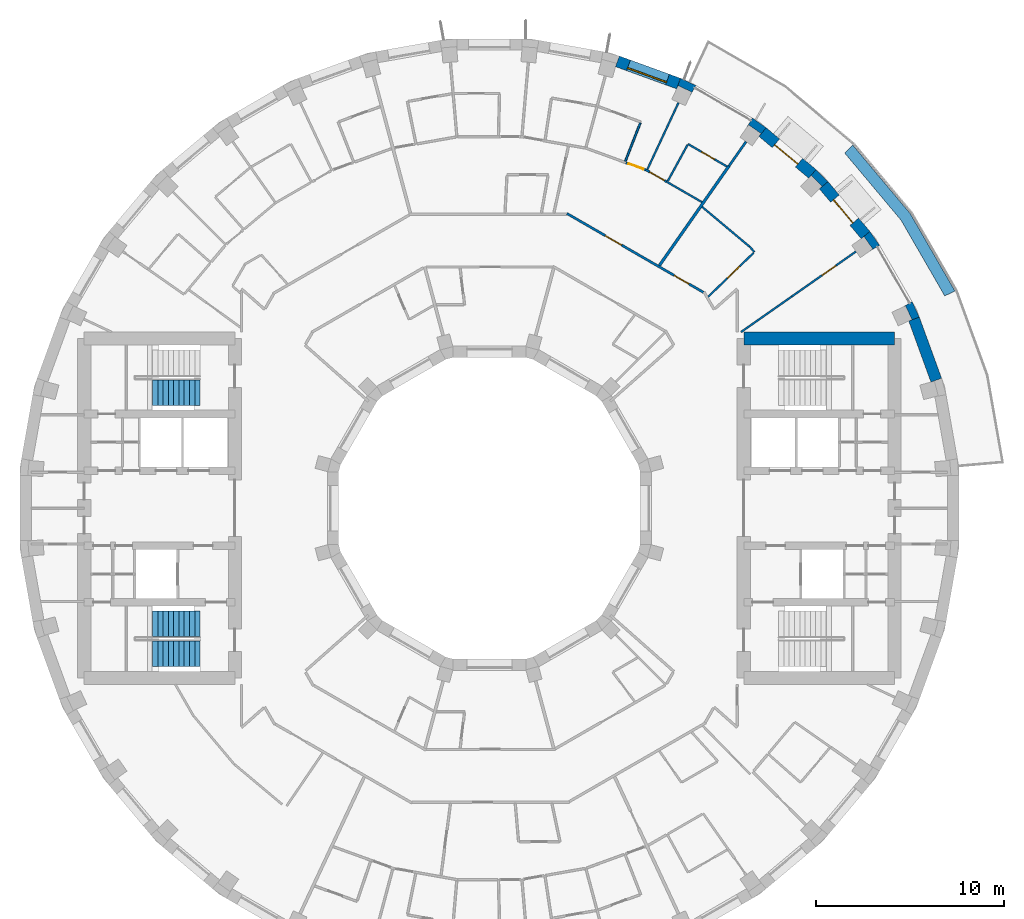
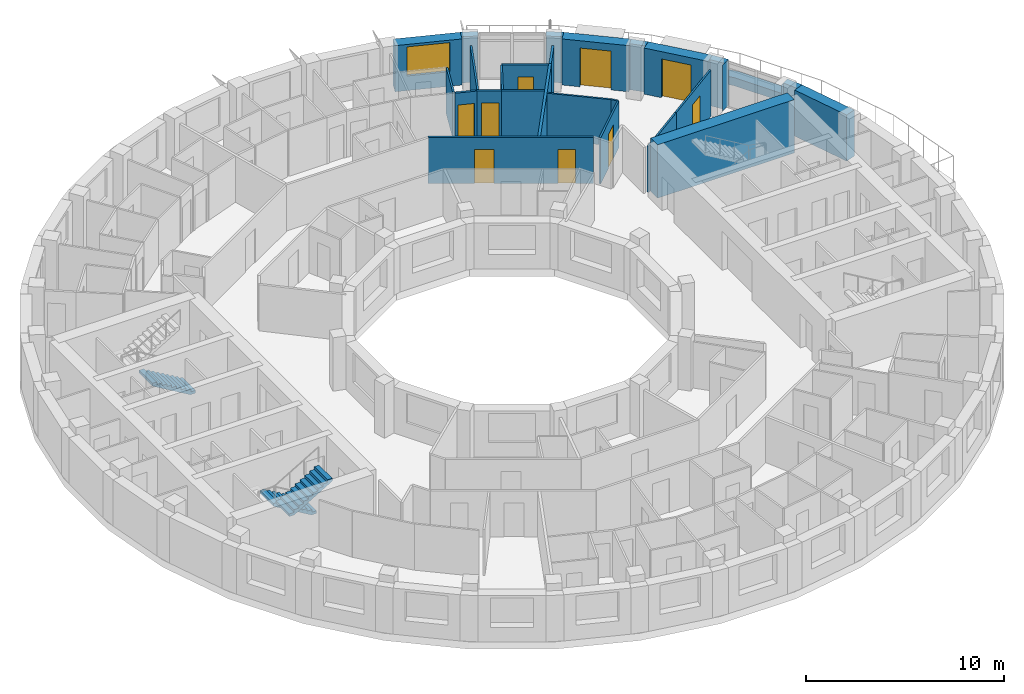
# One storey, part 13 of 15: 26 walls, 9 doors, 3 stair flights, 1 window, 10 openings, 2 elements without a shape of their own.
"""IFC4 building model written with IfcOpenShell, lengths in metres."""

from ifc_helpers import new_model, si_unit, direction, frame, frame_2d, origin, place, context, subcontext, project, spatial, polyline, rectangle, outline, extrude, material, layer, layer_set, type_object, element, fill, aggregate, save


model = new_model("IFC4")

# Units and contexts
model_context = context("Model", 3, precision=1e-05, world=origin(), true_north=direction((0.0, 1.0)))
body_context = subcontext(model_context, "Body", "Model", "MODEL_VIEW")
ifc_project = project(units=[si_unit("LENGTHUNIT", "METRE"), si_unit("AREAUNIT", "SQUARE_METRE"), si_unit("VOLUMEUNIT", "CUBIC_METRE"), si_unit("PLANEANGLEUNIT", "RADIAN"), si_unit("MASSUNIT", "GRAM", prefix="KILO")], contexts=[model_context])

# Site, building, storey
site_placement = place(None, origin())
site = spatial("IfcSite", under=ifc_project, at=site_placement, CompositionType="ELEMENT")
building_placement = place(site_placement, origin())
building = spatial("IfcBuilding", under=site, at=building_placement, Name="Saqina Gate Tower", CompositionType="ELEMENT")
storey_placement = place(building_placement, frame((0.0, 0.0, 197.10009765625)))
storey = spatial("IfcBuildingStorey", under=building, at=storey_placement, Name="L56", CompositionType="ELEMENT", Elevation=197.10009765625)

# Walls
ifc_material_1 = material(Name="Brick masonry (buff)", Category="masonry")
wall_type_1 = type_object("IfcWallType", Name="BRICK PIER COPING BUFF", PredefinedType="SOLIDWALL", material=ifc_material_1)
wall_1_placement = place(storey_placement, origin())
element("IfcWall", 1, at=wall_1_placement, inside=storey, type_object=wall_type_1, Name="Pier cap L56 column 3", PredefinedType="SOLIDWALL", context=body_context, shape_type="SweptSolid", body=[
    extrude(outline(polyline([(22.4306640625, 10.958740234375), (21.9111328125, 10.65869140625), (22.080810546875, 10.73779296875), (22.4189453125, 10.0126953125), (22.249267578125, 9.93359375), (22.81298828125, 10.138916015625), (22.4306640625, 10.958740234375)])), origin(), (0.0, 0.0, 1.0), 2.849853515625),
])
wall_2_placement = place(storey_placement, origin())
element("IfcWall", 2, at=wall_2_placement, inside=storey, type_object=wall_type_1, Name="Pier cap L56 column 4", PredefinedType="SOLIDWALL", context=body_context, shape_type="SweptSolid", body=[
    extrude(outline(polyline([(20.705810546875, 13.9462890625), (20.18701171875, 14.687255859375), (19.727294921875, 14.301513671875), (19.880859375, 14.408935546875), (20.339599609375, 13.753662109375), (20.186279296875, 13.646240234375), (20.705810546875, 13.9462890625)])), origin(), (0.0, 0.0, 1.0), 2.849853515625),
])
wall_3_placement = place(storey_placement, origin())
element("IfcWall", 3, at=wall_3_placement, inside=storey, type_object=wall_type_1, Name="Pier cap L56 column 5", PredefinedType="SOLIDWALL", context=body_context, shape_type="SweptSolid", body=[
    extrude(outline(polyline([(17.329833984375, 17.969482421875), (16.944091796875, 17.510009765625), (17.07666015625, 17.642333984375), (17.642333984375, 17.07666015625), (17.510009765625, 16.944091796875), (17.969482421875, 17.329833984375), (17.329833984375, 17.969482421875)])), origin(), (0.0, 0.0, 1.0), 2.849853515625),
])
wall_4_placement = place(storey_placement, origin())
element("IfcWall", 4, at=wall_4_placement, inside=storey, type_object=wall_type_1, Name="Pier cap L56 column 6", PredefinedType="SOLIDWALL", context=body_context, shape_type="SweptSolid", body=[
    extrude(outline(polyline([(14.687255859375, 20.18701171875), (13.9462890625, 20.705810546875), (13.646240234375, 20.186279296875), (13.753662109375, 20.339599609375), (14.408935546875, 19.880859375), (14.301513671875, 19.727294921875), (14.687255859375, 20.18701171875)])), origin(), (0.0, 0.0, 1.0), 2.849853515625),
])
wall_5_placement = place(storey_placement, origin())
element("IfcWall", 5, at=wall_5_placement, inside=storey, type_object=wall_type_1, Name="Pier cap L56 column 7", PredefinedType="SOLIDWALL", context=body_context, shape_type="SweptSolid", body=[
    extrude(outline(polyline([(10.138916015625, 22.81298828125), (9.93359375, 22.249267578125), (10.0126953125, 22.4189453125), (10.73779296875, 22.080810546875), (10.65869140625, 21.9111328125), (10.958740234375, 22.4306640625), (10.138916015625, 22.81298828125)])), origin(), (0.0, 0.0, 1.0), 2.849853515625),
])

# Wall, opening, door
ifc_material_2 = material(Name="Brick masonry (buff)", Category="masonry")
ifc_layer_1 = layer(ifc_material_2, 0.60009765625)
ifc_layer_set_1 = layer_set([ifc_layer_1], Name="FW-BRICK-BUFF")
wall_type_2 = type_object("IfcWallType", Name="FW-BRICK-BUFF", PredefinedType="SOLIDWALL", material=ifc_layer_set_1)
wall_6_placement = place(storey_placement, frame((19.95703125, 14.494384765625, 0.0), z_axis=(0.0, 0.0, 1.0), x_axis=(-0.642770398358, 0.766058884809, 0.0)))
wall_6 = element("IfcWall", 6, at=wall_6_placement, inside=storey, type_object=wall_type_2, Name="Facade wall L56 facet 4", PredefinedType="SOLIDWALL", context=body_context, shape_type="SweptSolid", body=[
    extrude(rectangle(XDim=3.449462890625, YDim=0.60009765625, at=frame_2d((1.724609375, 0.0))), origin(), (0.0, 0.0, 1.0), 2.849853515625),
])
opening_1_placement = place(wall_6_placement, frame((0.9248046875, 0.0, 0.0)))
opening_1 = element("IfcOpeningElement", 7, at=opening_1_placement, cuts=wall_6, Name="Opening G16-D80", PredefinedType="OPENING", context=body_context, shape_type="SweptSolid", body=[
    extrude(rectangle(XDim=1.60009765625, YDim=2.39990234375, at=frame_2d((0.800048828125, 1.199951171875))), frame((0.0, 0.31201171875, 0.0), z_axis=(0.0, -1.0, 0.0), x_axis=(1.0, 0.0, 0.0)), (0.0, 0.0, 1.0), 0.6240234375),
])
ifc_material_3 = material(Name="Aluminium glazing", Category="aluminium")
door_type_1 = type_object("IfcDoorType", Name="GD-C", OperationType="DOUBLE_DOOR_SINGLE_SWING", PredefinedType="DOOR", material=ifc_material_3)
door_1_placement = place(opening_1_placement, frame((1.60009765625, 0.0, 0.0), z_axis=(0.0, 0.0, 1.0), x_axis=(-1.0, 0.0, 0.0)))
door_1 = element("IfcDoor", 8, at=door_1_placement, inside=storey, type_object=door_type_1, Name="Terrace door L56 facet 4", OperationType="DOUBLE_DOOR_SINGLE_SWING", OverallHeight=2.39990234375, OverallWidth=1.60009765625, PredefinedType="DOOR", context=body_context, shape_type="SweptSolid", body=[
    extrude(rectangle(XDim=1.60009765625, YDim=2.39990234375, at=frame_2d((0.800048828125, 1.199951171875))), frame((0.0, -0.0751953125, 0.0), z_axis=(0.0, -1.0, 0.0), x_axis=(1.0, 0.0, 0.0)), (0.0, 0.0, 1.0), 0.050048828125),
])
fill(opening_1, door_1)

wall_7_placement = place(storey_placement, frame((17.136962890625, 17.73974609375, 0.0), z_axis=(0.0, 0.0, 1.0), x_axis=(-0.766058884809, 0.642770398358, 0.0)))
wall_7 = element("IfcWall", 9, at=wall_7_placement, inside=storey, type_object=wall_type_2, Name="Facade wall L56 facet 5", PredefinedType="SOLIDWALL", context=body_context, shape_type="SweptSolid", body=[
    extrude(rectangle(XDim=3.449462890625, YDim=0.60009765625, at=frame_2d((1.724609375, 0.0))), origin(), (0.0, 0.0, 1.0), 2.849853515625),
])
opening_2_placement = place(wall_7_placement, frame((0.9248046875, 0.0, 0.0)))
opening_2 = element("IfcOpeningElement", 10, at=opening_2_placement, cuts=wall_7, Name="Opening G16-D81", PredefinedType="OPENING", context=body_context, shape_type="SweptSolid", body=[
    extrude(rectangle(XDim=1.60009765625, YDim=2.39990234375, at=frame_2d((0.800048828125, 1.199951171875))), frame((0.0, 0.31201171875, 0.0), z_axis=(0.0, -1.0, 0.0), x_axis=(1.0, 0.0, 0.0)), (0.0, 0.0, 1.0), 0.6240234375),
])
door_2_placement = place(opening_2_placement, frame((1.60009765625, 0.0, 0.0), z_axis=(0.0, 0.0, 1.0), x_axis=(-1.0, 0.0, 0.0)))
door_2 = element("IfcDoor", 11, at=door_2_placement, inside=storey, type_object=door_type_1, Name="Terrace door L56 facet 5", OperationType="DOUBLE_DOOR_SINGLE_SWING", OverallHeight=2.39990234375, OverallWidth=1.60009765625, PredefinedType="DOOR", context=body_context, shape_type="SweptSolid", body=[
    extrude(rectangle(XDim=1.60009765625, YDim=2.39990234375, at=frame_2d((0.800048828125, 1.199951171875))), frame((0.0, -0.0751953125, 0.0), z_axis=(0.0, -1.0, 0.0), x_axis=(1.0, 0.0, 0.0)), (0.0, 0.0, 1.0), 0.050048828125),
])
fill(opening_2, door_2)

# Wall, opening, window
wall_8_placement = place(storey_placement, frame((10.0361328125, 22.531005859375, 0.0), z_axis=(0.0, 0.0, 1.0), x_axis=(-0.93968799822, 0.342032843455, 0.0)))
wall_8 = element("IfcWall", 12, at=wall_8_placement, inside=storey, type_object=wall_type_2, Name="Facade wall L56 facet 7", PredefinedType="SOLIDWALL", context=body_context, shape_type="SweptSolid", body=[
    extrude(rectangle(XDim=3.44970703125, YDim=0.60009765625, at=frame_2d((1.724853515625, 0.0))), origin(), (0.0, 0.0, 1.0), 2.849853515625),
])
opening_3_placement = place(wall_8_placement, frame((0.625, 0.0, 0.89990234375)))
opening_3 = element("IfcOpeningElement", 13, at=opening_3_placement, cuts=wall_8, Name="Opening G16-W01", PredefinedType="OPENING", context=body_context, shape_type="SweptSolid", body=[
    extrude(rectangle(XDim=2.199951171875, YDim=1.800048828125, at=frame_2d((1.10009765625, 0.89990234375))), frame((0.0, 0.31201171875, 0.0), z_axis=(0.0, -1.0, 0.0), x_axis=(1.0, 0.0, 0.0)), (0.0, 0.0, 1.0), 0.6240234375),
])
ifc_material_4 = material(Name="Aluminium glazing", Category="aluminium")
window_type = type_object("IfcWindowType", Name="WN-C", PartitioningType="SINGLE_PANEL", PredefinedType="WINDOW", material=ifc_material_4)
window_placement = place(opening_3_placement, origin())
window = element("IfcWindow", 14, at=window_placement, inside=storey, type_object=window_type, Name="Window L56 facet 7", OverallHeight=1.800048828125, OverallWidth=2.199951171875, PartitioningType="SINGLE_PANEL", PredefinedType="WINDOW", context=body_context, shape_type="SweptSolid", body=[
    extrude(rectangle(XDim=2.199951171875, YDim=1.800048828125, at=frame_2d((1.10009765625, 0.89990234375))), frame((0.0, 0.179931640625, 0.0), z_axis=(0.0, -1.0, 0.0), x_axis=(1.0, 0.0, 0.0)), (0.0, 0.0, 1.0), 0.06005859375),
])
fill(opening_3, window)

# Walls
ifc_material_5 = material(Name="Glazed ceramic tile (dark blue)", Category="ceramic")
ifc_layer_2 = layer(ifc_material_5, 0.60009765625)
ifc_layer_set_2 = layer_set([ifc_layer_2], Name="FW-TILE-CB")
wall_type_3 = type_object("IfcWallType", Name="FW-TILE-CB", PredefinedType="SOLIDWALL", material=ifc_layer_set_2)
wall_9_placement = place(storey_placement, frame((23.7109375, 6.79443359375, 0.0), z_axis=(0.0, 0.0, 1.0), x_axis=(-0.342032843455, 0.93968799822, 0.0)))
element("IfcWall", 15, at=wall_9_placement, inside=storey, type_object=wall_type_3, Name="Facade wall L56 facet 2", PredefinedType="SOLIDWALL", context=body_context, shape_type="SweptSolid", body=[
    extrude(rectangle(XDim=3.44970703125, YDim=0.60009765625, at=frame_2d((1.724853515625, 0.0))), origin(), (0.0, 0.0, 1.0), 2.849853515625),
])
ifc_material_6 = material(Name="Gypsum board on steel studs, 100 mm", Category="steel")
ifc_layer_3 = layer(ifc_material_6, 0.10009765625)
ifc_layer_set_3 = layer_set([ifc_layer_3], Name="PARTITION 100")
wall_type_4 = type_object("IfcWallType", Name="PARTITION 100", PredefinedType="PARTITIONING", material=ifc_layer_set_3)
wall_10_placement = place(storey_placement, frame((13.8125, 13.884033203125, 0.0), z_axis=(0.0, 0.0, 1.0), x_axis=(0.641432894875, -0.767179145554, 0.0)))
element("IfcWall", 16, at=wall_10_placement, inside=storey, type_object=wall_type_4, Name="PARTITION PW3-21", PredefinedType="PARTITIONING", context=body_context, shape_type="SweptSolid", body=[
    extrude(rectangle(XDim=0.384521484375, YDim=0.10009765625, at=frame_2d((0.1923828125, 0.0))), origin(), (0.0, 0.0, 1.0), 2.849853515625),
])
wall_11_placement = place(storey_placement, frame((11.287353515625, 15.98974609375, 0.0), z_axis=(0.0, 0.0, 1.0), x_axis=(0.766251688806, -0.642540543002, 0.0)))
element("IfcWall", 17, at=wall_11_placement, inside=storey, type_object=wall_type_4, Name="PARTITION PW3-33", PredefinedType="PARTITIONING", context=body_context, shape_type="SweptSolid", body=[
    extrude(rectangle(XDim=3.287841796875, YDim=0.10009765625, at=frame_2d((1.64404296875, 0.0))), origin(), (0.0, 0.0, 1.0), 2.849853515625),
])
wall_12_placement = place(storey_placement, frame((9.392578125, 17.330078125, 0.0), z_axis=(0.0, 0.0, 1.0), x_axis=(0.866049410587, -0.499958416693, 0.0)))
element("IfcWall", 18, at=wall_12_placement, inside=storey, type_object=wall_type_4, Name="PARTITION PW3-39", PredefinedType="PARTITIONING", context=body_context, shape_type="SweptSolid", body=[
    extrude(rectangle(XDim=2.179443359375, YDim=0.10009765625, at=frame_2d((1.08984375, 0.0))), origin(), (0.0, 0.0, 1.0), 2.849853515625),
])

# Wall, opening, door
wall_13_placement = place(storey_placement, frame((10.5380859375, 19.324951171875, 0.0), z_axis=(0.0, 0.0, 1.0), x_axis=(0.866018643436, -0.500011709085, 0.0)))
wall_13 = element("IfcWall", 19, at=wall_13_placement, inside=storey, type_object=wall_type_4, Name="PARTITION PW3-40", PredefinedType="PARTITIONING", context=body_context, shape_type="SweptSolid", body=[
    extrude(rectangle(XDim=2.38671875, YDim=0.10009765625, at=frame_2d((1.193359375, 0.0))), origin(), (0.0, 0.0, 1.0), 2.849853515625),
])
opening_4_placement = place(wall_13_placement, frame((0.830810546875, 0.0, 0.0)))
opening_4 = element("IfcOpeningElement", 20, at=opening_4_placement, cuts=wall_13, Name="Opening G16-D05", PredefinedType="OPENING", context=body_context, shape_type="SweptSolid", body=[
    extrude(rectangle(XDim=0.800048828125, YDim=2.10009765625, at=frame_2d((0.39990234375, 1.050048828125))), frame((0.0, 0.06201171875, 0.0), z_axis=(0.0, -1.0, 0.0), x_axis=(1.0, 0.0, 0.0)), (0.0, 0.0, 1.0), 0.1240234375),
])
ifc_material_7 = material(Name="Timber door leaf, 800 mm", Category="wood")
door_type_2 = type_object("IfcDoorType", Name="DOOR 800 TIMBER", OperationType="SINGLE_SWING_LEFT", PredefinedType="DOOR", material=ifc_material_7)
door_3_placement = place(opening_4_placement, origin())
door_3 = element("IfcDoor", 21, at=door_3_placement, inside=storey, type_object=door_type_2, Name="DOOR G16-D05", OperationType="SINGLE_SWING_RIGHT", OverallHeight=2.10009765625, OverallWidth=0.800048828125, PredefinedType="DOOR", context=body_context, shape_type="SweptSolid", body=[
    extrude(rectangle(XDim=0.800048828125, YDim=2.10009765625, at=frame_2d((0.39990234375, 1.050048828125))), frame((0.0, 0.02490234375, 0.0), z_axis=(0.0, -1.0, 0.0), x_axis=(1.0, 0.0, 0.0)), (0.0, 0.0, 1.0), 0.050048828125),
])
fill(opening_4, door_3)

# Wall
wall_14_placement = place(storey_placement, frame((13.35302734375, 9.349853515625, 0.0), z_axis=(0.0, 0.0, 1.0), x_axis=(0.819123426134, 0.573617305143, 0.0)))
element("IfcWall", 22, at=wall_14_placement, inside=storey, type_object=wall_type_4, Name="PARTITION PW3-75", PredefinedType="PARTITIONING", context=body_context, shape_type="SweptSolid", body=[
    extrude(rectangle(XDim=3.277587890625, YDim=0.10009765625, at=frame_2d((1.638671875, 0.0))), origin(), (0.0, 0.0, 1.0), 2.849853515625),
])

# Wall, opening, door
wall_15_placement = place(storey_placement, frame((16.0380859375, 11.22998046875, 0.0), z_axis=(0.0, 0.0, 1.0), x_axis=(0.819113378634, 0.573631652668, 0.0)))
wall_15 = element("IfcWall", 23, at=wall_15_placement, inside=storey, type_object=wall_type_4, Name="PARTITION PW3-76", PredefinedType="PARTITIONING", context=body_context, shape_type="SweptSolid", body=[
    extrude(rectangle(XDim=4.1611328125, YDim=0.10009765625, at=frame_2d((2.08056640625, 0.0))), origin(), (0.0, 0.0, 1.0), 2.849853515625),
])
opening_5_placement = place(wall_15_placement, frame((1.959228515625, 0.0, 0.0)))
opening_5 = element("IfcOpeningElement", 24, at=opening_5_placement, cuts=wall_15, Name="Opening G16-D01", PredefinedType="OPENING", context=body_context, shape_type="SweptSolid", body=[
    extrude(rectangle(XDim=0.89990234375, YDim=2.10009765625, at=frame_2d((0.449951171875, 1.050048828125))), frame((0.0, 0.06201171875, 0.0), z_axis=(0.0, -1.0, 0.0), x_axis=(1.0, 0.0, 0.0)), (0.0, 0.0, 1.0), 0.1240234375),
])
ifc_material_8 = material(Name="Timber door leaf, 900 mm", Category="wood")
door_type_3 = type_object("IfcDoorType", Name="DOOR 900 TIMBER", OperationType="SINGLE_SWING_LEFT", PredefinedType="DOOR", material=ifc_material_8)
door_4_placement = place(opening_5_placement, origin())
door_4 = element("IfcDoor", 25, at=door_4_placement, inside=storey, type_object=door_type_3, Name="DOOR G16-D01", OperationType="SINGLE_SWING_RIGHT", OverallHeight=2.10009765625, OverallWidth=0.89990234375, PredefinedType="DOOR", context=body_context, shape_type="SweptSolid", body=[
    extrude(rectangle(XDim=0.89990234375, YDim=2.10009765625, at=frame_2d((0.449951171875, 1.050048828125))), frame((0.0, 0.02490234375, 0.0), z_axis=(0.0, -1.0, 0.0), x_axis=(1.0, 0.0, 0.0)), (0.0, 0.0, 1.0), 0.050048828125),
])
fill(opening_5, door_4)

wall_16_placement = place(storey_placement, frame((11.60693359375, 11.218505859375, 0.0), z_axis=(0.0, 0.0, 1.0), x_axis=(0.718956911181, 0.695054645237, 0.0)))
wall_16 = element("IfcWall", 26, at=wall_16_placement, inside=storey, type_object=wall_type_4, Name="PARTITION PW3-79", PredefinedType="PARTITIONING", context=body_context, shape_type="SweptSolid", body=[
    extrude(rectangle(XDim=3.3603515625, YDim=0.10009765625, at=frame_2d((1.68017578125, 0.0))), origin(), (0.0, 0.0, 1.0), 2.849853515625),
])
opening_6_placement = place(wall_16_placement, frame((1.424072265625, 0.0, 0.0)))
opening_6 = element("IfcOpeningElement", 27, at=opening_6_placement, cuts=wall_16, Name="Opening G16-D02", PredefinedType="OPENING", context=body_context, shape_type="SweptSolid", body=[
    extrude(rectangle(XDim=0.89990234375, YDim=2.10009765625, at=frame_2d((0.449951171875, 1.050048828125))), frame((0.0, 0.06201171875, 0.0), z_axis=(0.0, -1.0, 0.0), x_axis=(1.0, 0.0, 0.0)), (0.0, 0.0, 1.0), 0.1240234375),
])
door_5_placement = place(opening_6_placement, frame((0.89990234375, 0.0, 0.0), z_axis=(0.0, 0.0, 1.0), x_axis=(-1.0, 0.0, 0.0)))
door_5 = element("IfcDoor", 28, at=door_5_placement, inside=storey, type_object=door_type_3, Name="DOOR G16-D02", OperationType="SINGLE_SWING_RIGHT", OverallHeight=2.10009765625, OverallWidth=0.89990234375, PredefinedType="DOOR", context=body_context, shape_type="SweptSolid", body=[
    extrude(rectangle(XDim=0.89990234375, YDim=2.10009765625, at=frame_2d((0.449951171875, 1.050048828125))), frame((0.0, 0.02490234375, 0.0), z_axis=(0.0, -1.0, 0.0), x_axis=(1.0, 0.0, 0.0)), (0.0, 0.0, 1.0), 0.050048828125),
])
fill(opening_6, door_5)

# Walls
wall_17_placement = place(storey_placement, frame((9.4658203125, 17.35986328125, 0.0), z_axis=(0.0, 0.0, 1.0), x_axis=(0.479008439349, 0.877810295584, 0.0)))
element("IfcWall", 29, at=wall_17_placement, inside=storey, type_object=wall_type_4, Name="PARTITION PW3-88", PredefinedType="PARTITIONING", context=body_context, shape_type="SweptSolid", body=[
    extrude(rectangle(XDim=2.1884765625, YDim=0.10009765625, at=frame_2d((1.09423828125, 0.0))), origin(), (0.0, 0.0, 1.0), 2.849853515625),
])
wall_18_placement = place(storey_placement, frame((8.385498046875, 17.983642578125, 0.0), z_axis=(0.0, 0.0, 1.0), x_axis=(0.422693421389, 0.906272735723, 0.0)))
element("IfcWall", 30, at=wall_18_placement, inside=storey, type_object=wall_type_4, Name="PARTITION PW3-89", PredefinedType="PARTITIONING", context=body_context, shape_type="SweptSolid", body=[
    extrude(rectangle(XDim=3.8974609375, YDim=0.10009765625, at=frame_2d((1.94873046875, 0.0))), origin(), (0.0, 0.0, 1.0), 2.849853515625),
])
wall_19_placement = place(storey_placement, frame((7.2138671875, 18.41015625, 0.0), z_axis=(0.0, 0.0, 1.0), x_axis=(0.364647558209, 0.931145616052, 0.0)))
element("IfcWall", 31, at=wall_19_placement, inside=storey, type_object=wall_type_4, Name="PARTITION PW3-91", PredefinedType="PARTITIONING", context=body_context, shape_type="SweptSolid", body=[
    extrude(rectangle(XDim=2.18798828125, YDim=0.10009765625, at=frame_2d((1.093994140625, 0.0))), origin(), (0.0, 0.0, 1.0), 2.849853515625),
])

# Wall, openings, doors
ifc_material_9 = material(Name="Gypsum board on steel studs, 125 mm, fire rated", Category="steel")
ifc_layer_4 = layer(ifc_material_9, 0.125)
ifc_layer_set_4 = layer_set([ifc_layer_4], Name="PARTITION EI 30 125")
wall_type_5 = type_object("IfcWallType", Name="PARTITION EI 30 125", PredefinedType="PARTITIONING", material=ifc_layer_set_4)
wall_20_placement = place(storey_placement, frame((4.117431640625, 15.635986328125, 0.0), z_axis=(0.0, 0.0, 1.0), x_axis=(0.866032091518, -0.499988416326, 0.0)))
wall_20 = element("IfcWall", 32, at=wall_20_placement, inside=storey, type_object=wall_type_5, Name="PARTITION PW1-16", PredefinedType="PARTITIONING", context=body_context, shape_type="SweptSolid", body=[
    extrude(rectangle(XDim=8.369873046875, YDim=0.125, at=frame_2d((4.18505859375, 0.0))), origin(), (0.0, 0.0, 1.0), 2.849853515625),
])
opening_7_placement = place(wall_20_placement, frame((6.574462890625, 0.0, 0.0)))
opening_7 = element("IfcOpeningElement", 33, at=opening_7_placement, cuts=wall_20, Name="Opening G16-D03", PredefinedType="OPENING", context=body_context, shape_type="SweptSolid", body=[
    extrude(rectangle(XDim=0.89990234375, YDim=2.10009765625, at=frame_2d((0.449951171875, 1.050048828125))), frame((0.0, 0.074462890625, 0.0), z_axis=(0.0, -1.0, 0.0), x_axis=(1.0, 0.0, 0.0)), (0.0, 0.0, 1.0), 0.14892578125),
])
opening_8_placement = place(wall_20_placement, frame((2.344482421875, 0.0, 0.0)))
opening_8 = element("IfcOpeningElement", 34, at=opening_8_placement, cuts=wall_20, Name="Opening G16-D08", PredefinedType="OPENING", context=body_context, shape_type="SweptSolid", body=[
    extrude(rectangle(XDim=1.0, YDim=2.10009765625, at=frame_2d((0.5, 1.050048828125))), frame((0.0, 0.074462890625, 0.0), z_axis=(0.0, -1.0, 0.0), x_axis=(1.0, 0.0, 0.0)), (0.0, 0.0, 1.0), 0.14892578125),
])
ifc_material_10 = material(Name="Fire door leaf EI 30, 1000 mm")
door_type_4 = type_object("IfcDoorType", Name="DOOR 1000 EI 30", OperationType="SINGLE_SWING_LEFT", PredefinedType="DOOR", material=ifc_material_10)
door_6_placement = place(opening_8_placement, origin())
door_6 = element("IfcDoor", 35, at=door_6_placement, inside=storey, type_object=door_type_4, Name="DOOR G16-D08", OperationType="SINGLE_SWING_LEFT", OverallHeight=2.10009765625, OverallWidth=1.0, PredefinedType="DOOR", context=body_context, shape_type="SweptSolid", body=[
    extrude(rectangle(XDim=1.0, YDim=2.10009765625, at=frame_2d((0.5, 1.050048828125))), frame((0.0, 0.02490234375, 0.0), z_axis=(0.0, -1.0, 0.0), x_axis=(1.0, 0.0, 0.0)), (0.0, 0.0, 1.0), 0.050048828125),
])
fill(opening_8, door_6)
ifc_material_11 = material(Name="Fire door leaf EI 30, 900 mm")
door_type_5 = type_object("IfcDoorType", Name="DOOR 900 EI 30", OperationType="SINGLE_SWING_LEFT", PredefinedType="DOOR", material=ifc_material_11)
door_7_placement = place(opening_7_placement, origin())
door_7 = element("IfcDoor", 36, at=door_7_placement, inside=storey, type_object=door_type_5, Name="DOOR G16-D03", OperationType="SINGLE_SWING_RIGHT", OverallHeight=2.10009765625, OverallWidth=0.89990234375, PredefinedType="DOOR", context=body_context, shape_type="SweptSolid", body=[
    extrude(rectangle(XDim=0.89990234375, YDim=2.10009765625, at=frame_2d((0.449951171875, 1.050048828125))), frame((0.0, 0.02490234375, 0.0), z_axis=(0.0, -1.0, 0.0), x_axis=(1.0, 0.0, 0.0)), (0.0, 0.0, 1.0), 0.050048828125),
])
fill(opening_7, door_7)

# Wall, opening, door
wall_21_placement = place(storey_placement, frame((8.303955078125, 17.958740234375, 0.0), z_axis=(0.0, 0.0, 1.0), x_axis=(0.866023907196, -0.500002592159, 0.0)))
wall_21 = element("IfcWall", 37, at=wall_21_placement, inside=storey, type_object=wall_type_5, Name="PARTITION PW1-17", PredefinedType="PARTITIONING", context=body_context, shape_type="SweptSolid", body=[
    extrude(rectangle(XDim=1.25732421875, YDim=0.125, at=frame_2d((0.628662109375, 0.0))), origin(), (0.0, 0.0, 1.0), 2.849853515625),
])
opening_9_placement = place(wall_21_placement, frame((0.2353515625, 0.0, 0.0)))
opening_9 = element("IfcOpeningElement", 38, at=opening_9_placement, cuts=wall_21, Name="Opening G16-D07", PredefinedType="OPENING", context=body_context, shape_type="SweptSolid", body=[
    extrude(rectangle(XDim=0.89990234375, YDim=2.10009765625, at=frame_2d((0.449951171875, 1.050048828125))), frame((0.0, 0.074462890625, 0.0), z_axis=(0.0, -1.0, 0.0), x_axis=(1.0, 0.0, 0.0)), (0.0, 0.0, 1.0), 0.14892578125),
])
door_8_placement = place(opening_9_placement, frame((0.89990234375, 0.0, 0.0), z_axis=(0.0, 0.0, 1.0), x_axis=(-1.0, 0.0, 0.0)))
door_8 = element("IfcDoor", 39, at=door_8_placement, inside=storey, type_object=door_type_5, Name="DOOR G16-D07", OperationType="SINGLE_SWING_RIGHT", OverallHeight=2.10009765625, OverallWidth=0.89990234375, PredefinedType="DOOR", context=body_context, shape_type="SweptSolid", body=[
    extrude(rectangle(XDim=0.89990234375, YDim=2.10009765625, at=frame_2d((0.449951171875, 1.050048828125))), frame((0.0, 0.02490234375, 0.0), z_axis=(0.0, -1.0, 0.0), x_axis=(1.0, 0.0, 0.0)), (0.0, 0.0, 1.0), 0.050048828125),
])
fill(opening_9, door_8)

wall_22_placement = place(storey_placement, frame((7.238037109375, 18.3349609375, 0.0), z_axis=(0.0, 0.0, 1.0), x_axis=(0.939736656196, -0.341899132788, 0.0)))
wall_22 = element("IfcWall", 40, at=wall_22_placement, inside=storey, type_object=wall_type_5, Name="PARTITION PW1-19", PredefinedType="PARTITIONING", context=body_context, shape_type="SweptSolid", body=[
    extrude(rectangle(XDim=1.13037109375, YDim=0.125, at=frame_2d((0.565185546875, 0.0))), origin(), (0.0, 0.0, 1.0), 2.849853515625),
])
opening_10_placement = place(wall_22_placement, frame((0.146484375, 0.0, 0.0)))
opening_10 = element("IfcOpeningElement", 41, at=opening_10_placement, cuts=wall_22, Name="Opening G16-D09", PredefinedType="OPENING", context=body_context, shape_type="SweptSolid", body=[
    extrude(rectangle(XDim=0.85009765625, YDim=2.10009765625, at=frame_2d((0.425048828125, 1.050048828125))), frame((0.0, 0.074462890625, 0.0), z_axis=(0.0, -1.0, 0.0), x_axis=(1.0, 0.0, 0.0)), (0.0, 0.0, 1.0), 0.14892578125),
])
ifc_material_12 = material(Name="Fire door leaf EI 30, 850 mm")
door_type_6 = type_object("IfcDoorType", Name="DOOR 850 EI 30", OperationType="SINGLE_SWING_LEFT", PredefinedType="DOOR", material=ifc_material_12)
door_9_placement = place(opening_10_placement, frame((0.85009765625, 0.0, 0.0), z_axis=(0.0, 0.0, 1.0), x_axis=(-1.0, 0.0, 0.0)))
door_9 = element("IfcDoor", 42, at=door_9_placement, inside=storey, type_object=door_type_6, Name="DOOR G16-D09", OperationType="SINGLE_SWING_LEFT", OverallHeight=2.10009765625, OverallWidth=0.85009765625, PredefinedType="DOOR", context=body_context, shape_type="SweptSolid", body=[
    extrude(rectangle(XDim=0.85009765625, YDim=2.10009765625, at=frame_2d((0.425048828125, 1.050048828125))), frame((0.0, 0.02490234375, 0.0), z_axis=(0.0, -1.0, 0.0), x_axis=(1.0, 0.0, 0.0)), (0.0, 0.0, 1.0), 0.050048828125),
])
fill(opening_10, door_9)

# Walls
wall_23_placement = place(storey_placement, frame((12.712890625, 18.155517578125, 0.0), z_axis=(0.0, 0.0, 1.0), x_axis=(0.573607882282, 0.819130024712, 0.0)))
element("IfcWall", 43, at=wall_23_placement, inside=storey, type_object=wall_type_5, Name="PARTITION PW1-45", PredefinedType="PARTITIONING", context=body_context, shape_type="SweptSolid", body=[
    extrude(rectangle(XDim=1.576171875, YDim=0.125, at=frame_2d((0.7880859375, 0.0))), origin(), (0.0, 0.0, 1.0), 2.849853515625),
])
ifc_material_13 = material(Name="Gypsum board on steel studs, 150 mm, fire rated", Category="steel")
ifc_layer_5 = layer(ifc_material_13, 0.14990234375)
ifc_layer_set_5 = layer_set([ifc_layer_5], Name="PARTITION EI 60 150")
wall_type_6 = type_object("IfcWallType", Name="PARTITION EI 60 150", PredefinedType="PARTITIONING", material=ifc_layer_set_5)
wall_24_placement = place(storey_placement, frame((9.019775390625, 12.8779296875, 0.0), z_axis=(0.0, 0.0, 1.0), x_axis=(0.573070545271, 0.819506040334, 0.0)))
element("IfcWall", 44, at=wall_24_placement, inside=storey, type_object=wall_type_6, Name="PARTITION PW2-05", PredefinedType="PARTITIONING", context=body_context, shape_type="SweptSolid", body=[
    extrude(rectangle(XDim=6.44140625, YDim=0.14990234375, at=frame_2d((3.220703125, 0.0))), origin(), (0.0, 0.0, 1.0), 2.849853515625),
])
ifc_material_14 = material(Name="Brick masonry (red)", Category="masonry")
ifc_layer_6 = layer(ifc_material_14, 0.60009765625)
ifc_layer_set_6 = layer_set([ifc_layer_6], Name="PL-PLANTER")
wall_type_7 = type_object("IfcWallType", Name="PL-PLANTER", PredefinedType="PARAPET", material=ifc_layer_set_6)
wall_25_placement = place(storey_placement, origin())
element("IfcWall", 45, at=wall_25_placement, inside=storey, type_object=wall_type_7, Name="Planter L56", PredefinedType="PARAPET", context=body_context, shape_type="SweptSolid", body=[
    extrude(outline(polyline([(24.70458984375, 11.52001953125), (22.328857421875, 15.635009765625), (19.274658203125, 19.274658203125), (18.848876953125, 18.848876953125), (21.835693359375, 15.289306640625), (24.15869140625, 11.265380859375), (24.70458984375, 11.52001953125)])), origin(), (0.0, 0.0, 1.0), 0.5),
])
ifc_material_15 = material(Name="Concrete C60/75", Category="concrete")
ifc_layer_7 = layer(ifc_material_15, 0.699951171875)
ifc_layer_set_7 = layer_set([ifc_layer_7], Name="Concrete C60/75")
wall_type_8 = type_object("IfcWallType", Name="STR-CORE WALL-C-O", PredefinedType="SHEAR", material=ifc_layer_set_7)
wall_26_placement = place(storey_placement, frame((13.5, 9.0, 0.0), z_axis=(0.0, 0.0, 1.0), x_axis=(1.0, 0.0, 0.0)))
element("IfcWall", 46, at=wall_26_placement, inside=storey, type_object=wall_type_8, Name="CORE WALL L56 E-NE", PredefinedType="SHEAR", context=body_context, shape_type="SweptSolid", body=[
    extrude(rectangle(XDim=8.0, YDim=0.699951171875, at=frame_2d((4.0, 0.0))), origin(), (0.0, 0.0, 1.0), 3.2998046875),
])

# Stair, stair flight
ifc_material_16 = material(Name="Concrete C40/50", Category="concrete")
stair_type = type_object("IfcStairType", Name="EXIT STAIR", PredefinedType="HALF_TURN_STAIR", material=ifc_material_16)
stair_1_placement = place(storey_placement, origin())
stair_1 = element("IfcStair", 47, at=stair_1_placement, inside=storey, type_object=stair_type, Name="EXIT STAIR 3", PredefinedType="HALF_TURN_STAIR")
ifc_material_17 = material(Name="Concrete C40/50", Category="concrete")
stair_flight_type = type_object("IfcStairFlightType", Name="EXIT STAIR FLIGHT", PredefinedType="STRAIGHT", material=ifc_material_17)
stair_flight_1_placement = place(storey_placement, frame((-15.35009765625, 6.125, 0.0), z_axis=(0.0, 0.0, 1.0), x_axis=(-1.0, 0.0, 0.0)))
stair_flight_1 = element("IfcStairFlight", 48, at=stair_flight_1_placement, type_object=stair_flight_type, Name="EXIT STAIR 3 FLIGHT 1", NumberOfRisers=10, NumberOfTreads=9, PredefinedType="STRAIGHT", RiserHeight=0.165, TreadLength=0.28, context=body_context, shape_type="SweptSolid", body=[
    extrude(outline(polyline([(0.0, 0.0), (0.0, 0.1650390625), (0.280029296875, 0.1650390625), (0.280029296875, 0.330078125), (0.56005859375, 0.330078125), (0.56005859375, 0.4951171875), (0.840087890625, 0.4951171875), (0.840087890625, 0.659912109375), (1.1201171875, 0.659912109375), (1.1201171875, 0.824951171875), (1.39990234375, 0.824951171875), (1.39990234375, 0.989990234375), (1.679931640625, 0.989990234375), (1.679931640625, 1.155029296875), (1.9599609375, 1.155029296875), (1.9599609375, 1.320068359375), (2.239990234375, 1.320068359375), (2.239990234375, 1.485107421875), (2.52001953125, 1.485107421875), (2.52001953125, 1.64990234375), (2.52001953125, 1.31103515625), (0.295166015625, 0.0), (0.0, 0.0)])), frame((0.0, 0.675048828125, 0.0), z_axis=(0.0, -1.0, 0.0), x_axis=(1.0, 0.0, 0.0)), (0.0, 0.0, 1.0), 1.35009765625),
])
aggregate(stair_1, [stair_flight_1])

# Stair, stair flights
stair_2_placement = place(storey_placement, origin())
stair_2 = element("IfcStair", 49, at=stair_2_placement, inside=storey, type_object=stair_type, Name="EXIT STAIR 4", PredefinedType="HALF_TURN_STAIR")
stair_flight_2_placement = place(storey_placement, frame((-15.35009765625, -6.125, 0.0), z_axis=(0.0, 0.0, 1.0), x_axis=(-1.0, 0.0, 0.0)))
stair_flight_2 = element("IfcStairFlight", 50, at=stair_flight_2_placement, type_object=stair_flight_type, Name="EXIT STAIR 4 FLIGHT 1", NumberOfRisers=10, NumberOfTreads=9, PredefinedType="STRAIGHT", RiserHeight=0.165, TreadLength=0.28, context=body_context, shape_type="SweptSolid", body=[
    extrude(outline(polyline([(0.0, 0.0), (0.0, 0.1650390625), (0.280029296875, 0.1650390625), (0.280029296875, 0.330078125), (0.56005859375, 0.330078125), (0.56005859375, 0.4951171875), (0.840087890625, 0.4951171875), (0.840087890625, 0.659912109375), (1.1201171875, 0.659912109375), (1.1201171875, 0.824951171875), (1.39990234375, 0.824951171875), (1.39990234375, 0.989990234375), (1.679931640625, 0.989990234375), (1.679931640625, 1.155029296875), (1.9599609375, 1.155029296875), (1.9599609375, 1.320068359375), (2.239990234375, 1.320068359375), (2.239990234375, 1.485107421875), (2.52001953125, 1.485107421875), (2.52001953125, 1.64990234375), (2.52001953125, 1.31103515625), (0.295166015625, 0.0), (0.0, 0.0)])), frame((0.0, 0.675048828125, 0.0), z_axis=(0.0, -1.0, 0.0), x_axis=(1.0, 0.0, 0.0)), (0.0, 0.0, 1.0), 1.35009765625),
])
stair_flight_3_placement = place(storey_placement, frame((-17.8701171875, -7.72509765625, 1.64990234375), z_axis=(0.0, 0.0, 1.0), x_axis=(1.0, 0.0, 0.0)))
stair_flight_3 = element("IfcStairFlight", 51, at=stair_flight_3_placement, type_object=stair_flight_type, Name="EXIT STAIR 4 FLIGHT 2", NumberOfRisers=10, NumberOfTreads=9, PredefinedType="STRAIGHT", RiserHeight=0.165, TreadLength=0.28, context=body_context, shape_type="SweptSolid", body=[
    extrude(outline(polyline([(0.0, 0.0), (0.0, 0.1650390625), (0.280029296875, 0.1650390625), (0.280029296875, 0.330078125), (0.56005859375, 0.330078125), (0.56005859375, 0.4951171875), (0.840087890625, 0.4951171875), (0.840087890625, 0.659912109375), (1.1201171875, 0.659912109375), (1.1201171875, 0.824951171875), (1.39990234375, 0.824951171875), (1.39990234375, 0.989990234375), (1.679931640625, 0.989990234375), (1.679931640625, 1.155029296875), (1.9599609375, 1.155029296875), (1.9599609375, 1.320068359375), (2.239990234375, 1.320068359375), (2.239990234375, 1.485107421875), (2.52001953125, 1.485107421875), (2.52001953125, 1.64990234375), (2.52001953125, 1.31103515625), (0.295166015625, 0.0), (0.0, 0.0)])), frame((0.0, 0.675048828125, 0.0), z_axis=(0.0, -1.0, 0.0), x_axis=(1.0, 0.0, 0.0)), (0.0, 0.0, 1.0), 1.35009765625),
])
aggregate(stair_2, [stair_flight_2, stair_flight_3])

save(model, "model.ifc")
